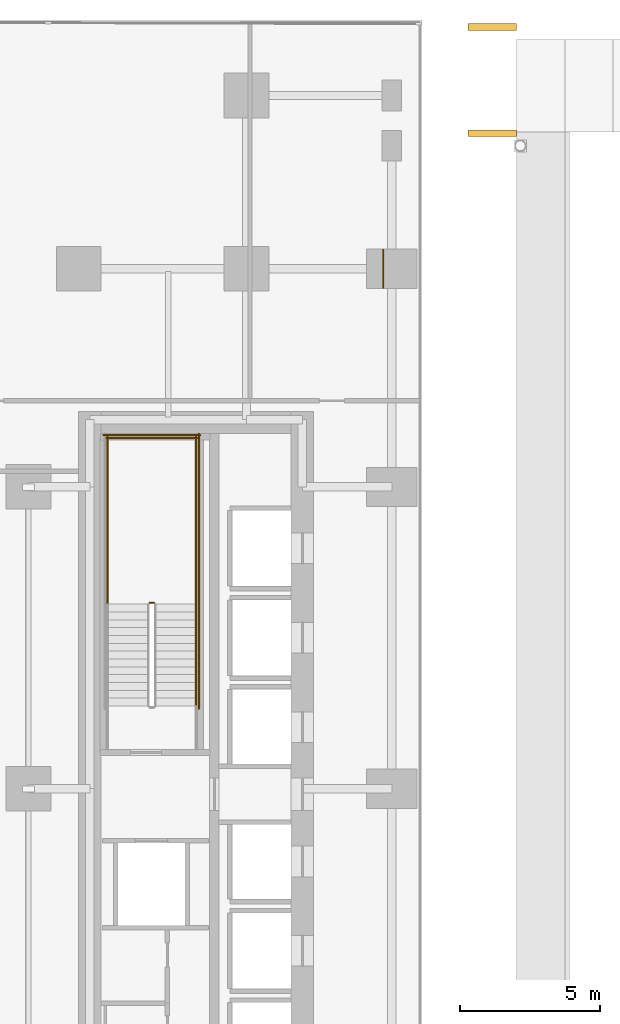
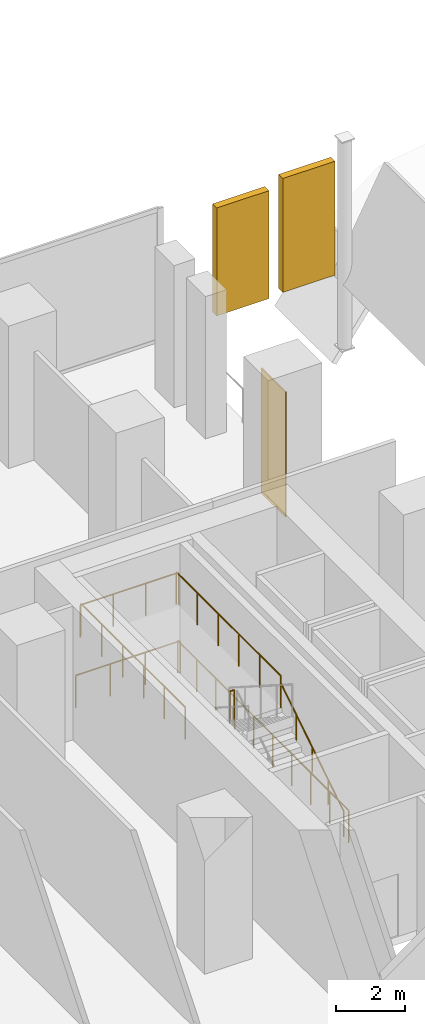
# One storey, part 29 of 31: 7 railings, 3 coverings.
"""IFC4 building model written with IfcOpenShell, lengths in metres."""

from ifc_helpers import new_model, si_unit, direction, frame, origin, origin_2d, place, context, subcontext, project, spatial, rectangle, circle, extrude, material, layer, layer_set, type_object, element, save


model = new_model("IFC4")

# Units and contexts
model_context = context("Model", 3, precision=1e-05, world=origin(), true_north=direction((0.0, 1.0)))
body_context = subcontext(model_context, "Body", "Model", "MODEL_VIEW")
ifc_project = project(units=[si_unit("LENGTHUNIT", "METRE"), si_unit("AREAUNIT", "SQUARE_METRE"), si_unit("VOLUMEUNIT", "CUBIC_METRE"), si_unit("PLANEANGLEUNIT", "RADIAN"), si_unit("MASSUNIT", "GRAM", prefix="KILO")], contexts=[model_context])

# Site, building, storey
site_placement = place(None, origin())
site = spatial("IfcSite", under=ifc_project, at=site_placement, CompositionType="ELEMENT")
building_placement = place(site_placement, origin())
building = spatial("IfcBuilding", under=site, at=building_placement, Name="Khairoan Windgate Tower", CompositionType="ELEMENT")
storey_placement = place(building_placement, frame((0.0, 0.0, 11.0)))
storey = spatial("IfcBuildingStorey", under=building, at=storey_placement, Name="L03", CompositionType="ELEMENT", Elevation=11.0)

# Coverings
ifc_material_1 = material(Name="Anodised Bronze Aluminium 6063-T6", Category="aluminium")
ifc_layer_1 = layer(ifc_material_1, 0.0400390625, Name="Anodised Bronze Aluminium 6063-T6")
ifc_layer_set_1 = layer_set([ifc_layer_1], Name="Anodised Bronze Aluminium 6063-T6")
covering_type_1 = type_object("IfcCoveringType", Name="Anodised Bronze Arch Pier Cladding", PredefinedType="CLADDING", material=ifc_layer_set_1)
covering_1_placement = place(storey_placement, frame((-9.5, 18.60009765625, 0.0), z_axis=(0.0, 0.0, 1.0), x_axis=(1.0, 0.0, 0.0)))
element("IfcCovering", 1, at=covering_1_placement, inside=storey, type_object=covering_type_1, Name="L03 Arch Pier Bronze Cladding 03", PredefinedType="CLADDING", context=body_context, shape_type="SweptSolid", body=[
    extrude(rectangle(XDim=0.0400390625, YDim=1.39990234375, at=origin_2d()), origin(), (0.0, 0.0, 1.0), 4.39990234375),
])
ifc_material_2 = material(Name="Anodised Bronze Aluminium 6063-T6", Category="aluminium")
ifc_layer_2 = layer(ifc_material_2, 0.179931640625, Name="Anodised Bronze Aluminium 6063-T6")
ifc_layer_set_2 = layer_set([ifc_layer_2], Name="Anodised Bronze Aluminium 6063-T6")
covering_type_2 = type_object("IfcCoveringType", Name="Sculpted Parabolic Arch and Crown Cladding", PredefinedType="CLADDING", material=ifc_layer_set_2)
covering_2_placement = place(storey_placement, frame((-5.60498046875, 23.449951171875, 3.53662109375), z_axis=(0.0, 0.0, 1.0), x_axis=(1.0, 0.0, 0.0)))
element("IfcCovering", 2, at=covering_2_placement, inside=storey, type_object=covering_type_2, Name="Upper Parabolic Arch Tympanum Cladding N-02", PredefinedType="CLADDING", context=body_context, shape_type="SweptSolid", body=[
    extrude(rectangle(XDim=1.72998046875, YDim=0.239990234375, at=origin_2d()), origin(), (0.0, 0.0, 1.0), 4.0029296875),
])
covering_3_placement = place(storey_placement, frame((-5.60498046875, 27.25, 0.406982421875), z_axis=(0.0, 0.0, 1.0), x_axis=(1.0, 0.0, 0.0)))
element("IfcCovering", 3, at=covering_3_placement, inside=storey, type_object=covering_type_2, Name="Podium Parabolic Arch Tympanum Cladding N-02", PredefinedType="CLADDING", context=body_context, shape_type="SweptSolid", body=[
    extrude(rectangle(XDim=1.72998046875, YDim=0.239990234375, at=origin_2d()), origin(), (0.0, 0.0, 1.0), 3.79296875),
])

# Railings
ifc_material_3 = material(Name="Anodised Bronze Aluminium 6063-T6", Category="aluminium")
railing_type_1 = type_object("IfcRailingType", Name="Stair Wall Handrail SHR-900", PredefinedType="HANDRAIL", material=ifc_material_3)
railing_1_placement = place(storey_placement, frame((-16.199951171875, 2.9599609375, 0.178466796875)))
element("IfcRailing", 4, at=railing_1_placement, inside=storey, type_object=railing_type_1, Name="L03 ST2 stair handrail 1", PredefinedType="HANDRAIL", context=body_context, shape_type="SweptSolid", body=[
    extrude(circle(Radius=0.02392578125, at=origin_2d()), frame((0.0, 0.0, 0.8759765625), z_axis=(0.0, 0.843127859045, 0.537713132908), x_axis=(-1.0, 0.0, 0.0)), (0.0, 0.0, 1.0), 4.3173828125),
    extrude(circle(Radius=0.02099609375, at=origin_2d()), origin(), (0.0, 0.0, 1.0), 0.851806640625),
    extrude(circle(Radius=0.02099609375, at=origin_2d()), frame((0.0, 0.91015625, 0.580322265625)), (0.0, 0.0, 1.0), 0.851806640625),
    extrude(circle(Radius=0.02099609375, at=origin_2d()), frame((0.0, 1.820068359375, 1.16064453125)), (0.0, 0.0, 1.0), 0.851806640625),
    extrude(circle(Radius=0.02099609375, at=origin_2d()), frame((0.0, 2.72998046875, 1.7412109375)), (0.0, 0.0, 1.0), 0.851806640625),
    extrude(circle(Radius=0.02099609375, at=origin_2d()), frame((0.0, 3.64013671875, 2.321533203125)), (0.0, 0.0, 1.0), 0.851806640625),
])
ifc_material_4 = material(Name="Steel S355", Category="steel")
railing_type_2 = type_object("IfcRailingType", Name="Stairwell Safety Guardrail SGR-1150", PredefinedType="GUARDRAIL", material=ifc_material_4)
railing_2_placement = place(storey_placement, frame((-17.7099609375, 6.64990234375, 2.5)))
element("IfcRailing", 5, at=railing_2_placement, inside=storey, type_object=railing_type_2, Name="L03 ST2 stair guard 2", PredefinedType="GUARDRAIL", context=body_context, shape_type="SweptSolid", body=[
    extrude(circle(Radius=0.02392578125, at=origin_2d()), frame((0.0, 0.0, 1.1259765625), z_axis=(-1.0, 0.0, 0.0), x_axis=(0.0, -1.0, 0.0)), (0.0, 0.0, 1.0), 0.150146484375),
    extrude(circle(Radius=0.02099609375, at=origin_2d()), origin(), (0.0, 0.0, 1.0), 1.101806640625),
    extrude(circle(Radius=0.02099609375, at=origin_2d()), frame((-0.150146484375, 0.0, 0.0)), (0.0, 0.0, 1.0), 1.101806640625),
])
for number, where, name in (
    (6, (-16.199951171875, 6.60009765625, 2.5), "L03 ST2 stair guard 3"),
    (7, (-19.3701171875, 6.60009765625, 2.5), "L03 ST2 stair guard 4"),
):
    element("IfcRailing", number, at=place(storey_placement, frame(where)), inside=storey, type_object=railing_type_2, Name=name, PredefinedType="GUARDRAIL", context=body_context, shape_type="SweptSolid", body=[
        extrude(circle(Radius=0.02392578125, at=origin_2d()), frame((0.0, 0.0, 1.1259765625), z_axis=(0.0, 1.0, 0.0), x_axis=(-1.0, 0.0, 0.0)), (0.0, 0.0, 1.0), 6.0),
        extrude(circle(Radius=0.02099609375, at=origin_2d()), origin(), (0.0, 0.0, 1.0), 1.101806640625),
        extrude(circle(Radius=0.02099609375, at=origin_2d()), frame((0.0, 1.199951171875, 0.0)), (0.0, 0.0, 1.0), 1.101806640625),
        extrude(circle(Radius=0.02099609375, at=origin_2d()), frame((0.0, 2.39990234375, 0.0)), (0.0, 0.0, 1.0), 1.101806640625),
        extrude(circle(Radius=0.02099609375, at=origin_2d()), frame((0.0, 3.60009765625, 0.0)), (0.0, 0.0, 1.0), 1.101806640625),
        extrude(circle(Radius=0.02099609375, at=origin_2d()), frame((0.0, 4.800048828125, 0.0)), (0.0, 0.0, 1.0), 1.101806640625),
        extrude(circle(Radius=0.02099609375, at=origin_2d()), frame((0.0, 6.0, 0.0)), (0.0, 0.0, 1.0), 1.101806640625),
    ])
railing_3_placement = place(storey_placement, frame((-16.14990234375, 12.550048828125, 2.5)))
element("IfcRailing", 8, at=railing_3_placement, inside=storey, type_object=railing_type_2, Name="L03 ST2 stair guard 5", PredefinedType="GUARDRAIL", context=body_context, shape_type="SweptSolid", body=[
    extrude(circle(Radius=0.02392578125, at=origin_2d()), frame((0.0, 0.0, 1.1259765625), z_axis=(-1.0, 0.0, 0.0), x_axis=(0.0, -1.0, 0.0)), (0.0, 0.0, 1.0), 3.27001953125),
    extrude(circle(Radius=0.02099609375, at=origin_2d()), origin(), (0.0, 0.0, 1.0), 1.101806640625),
    extrude(circle(Radius=0.02099609375, at=origin_2d()), frame((-1.090087890625, 0.0, 0.0)), (0.0, 0.0, 1.0), 1.101806640625),
    extrude(circle(Radius=0.02099609375, at=origin_2d()), frame((-2.179931640625, 0.0, 0.0)), (0.0, 0.0, 1.0), 1.101806640625),
    extrude(circle(Radius=0.02099609375, at=origin_2d()), frame((-3.27001953125, 0.0, 0.0)), (0.0, 0.0, 1.0), 1.101806640625),
])
railing_4_placement = place(storey_placement, frame((-16.10009765625, 2.860107421875, 0.0)))
element("IfcRailing", 9, at=railing_4_placement, inside=storey, type_object=railing_type_2, Name="L03 ST2 stair guard 10", PredefinedType="GUARDRAIL", context=body_context, shape_type="SweptSolid", body=[
    extrude(circle(Radius=0.02392578125, at=origin_2d()), frame((0.0, 0.0, 1.1259765625), z_axis=(0.0, 1.0, 0.0), x_axis=(-1.0, 0.0, 0.0)), (0.0, 0.0, 1.0), 9.83984375),
    extrude(circle(Radius=0.02099609375, at=origin_2d()), origin(), (0.0, 0.0, 1.0), 1.101806640625),
    extrude(circle(Radius=0.02099609375, at=origin_2d()), frame((0.0, 1.09326171875, 0.0)), (0.0, 0.0, 1.0), 1.101806640625),
    extrude(circle(Radius=0.02099609375, at=origin_2d()), frame((0.0, 2.1865234375, 0.0)), (0.0, 0.0, 1.0), 1.101806640625),
    extrude(circle(Radius=0.02099609375, at=origin_2d()), frame((0.0, 3.280029296875, 0.0)), (0.0, 0.0, 1.0), 1.101806640625),
    extrude(circle(Radius=0.02099609375, at=origin_2d()), frame((0.0, 4.373291015625, 0.0)), (0.0, 0.0, 1.0), 1.101806640625),
    extrude(circle(Radius=0.02099609375, at=origin_2d()), frame((0.0, 5.466552734375, 0.0)), (0.0, 0.0, 1.0), 1.101806640625),
    extrude(circle(Radius=0.02099609375, at=origin_2d()), frame((0.0, 6.559814453125, 0.0)), (0.0, 0.0, 1.0), 1.101806640625),
    extrude(circle(Radius=0.02099609375, at=origin_2d()), frame((0.0, 7.6533203125, 0.0)), (0.0, 0.0, 1.0), 1.101806640625),
    extrude(circle(Radius=0.02099609375, at=origin_2d()), frame((0.0, 8.74658203125, 0.0)), (0.0, 0.0, 1.0), 1.101806640625),
    extrude(circle(Radius=0.02099609375, at=origin_2d()), frame((0.0, 9.83984375, 0.0)), (0.0, 0.0, 1.0), 1.101806640625),
])
railing_5_placement = place(storey_placement, frame((-16.050048828125, 12.64990234375, 0.0)))
element("IfcRailing", 10, at=railing_5_placement, inside=storey, type_object=railing_type_2, Name="L03 ST2 stair guard 12", PredefinedType="GUARDRAIL", context=body_context, shape_type="SweptSolid", body=[
    extrude(circle(Radius=0.02392578125, at=origin_2d()), frame((0.0, 0.0, 1.1259765625), z_axis=(-1.0, 0.0, 0.0), x_axis=(0.0, -1.0, 0.0)), (0.0, 0.0, 1.0), 3.469970703125),
    extrude(circle(Radius=0.02099609375, at=origin_2d()), origin(), (0.0, 0.0, 1.0), 1.101806640625),
    extrude(circle(Radius=0.02099609375, at=origin_2d()), frame((-1.15673828125, 0.0, 0.0)), (0.0, 0.0, 1.0), 1.101806640625),
    extrude(circle(Radius=0.02099609375, at=origin_2d()), frame((-2.313232421875, 0.0, 0.0)), (0.0, 0.0, 1.0), 1.101806640625),
    extrude(circle(Radius=0.02099609375, at=origin_2d()), frame((-3.469970703125, 0.0, 0.0)), (0.0, 0.0, 1.0), 1.101806640625),
])

save(model, "model.ifc")
